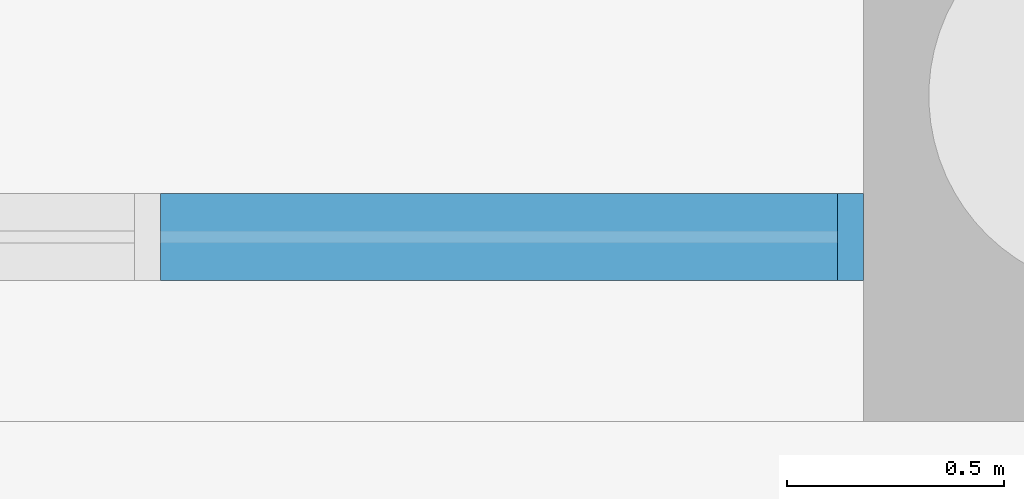
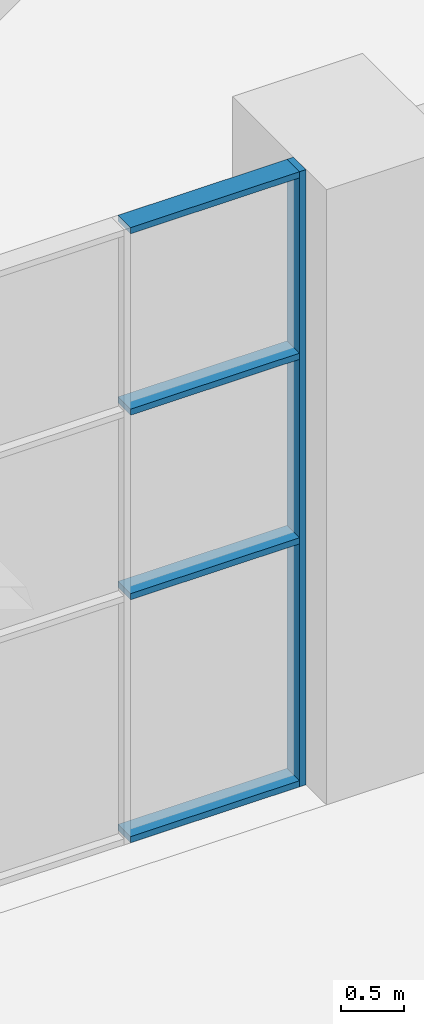
# One storey, part 5 of 44: 5 members, 1 element without a shape of its own.
"""IFC4 building model written with IfcOpenShell, lengths in metres."""

from ifc_helpers import new_model, si_unit, direction, frame, origin, origin_2d, place, context, subcontext, project, spatial, rectangle, extrude, material, layer, layer_set, material_profile, profile_set, type_object, element, aggregate, save


model = new_model("IFC4")

# Units and contexts
model_context = context("Model", 3, precision=1e-05, world=origin(), true_north=direction((0.0, 1.0)))
body_context = subcontext(model_context, "Body", "Model", "MODEL_VIEW")
ifc_project = project(units=[si_unit("LENGTHUNIT", "METRE"), si_unit("AREAUNIT", "SQUARE_METRE"), si_unit("VOLUMEUNIT", "CUBIC_METRE"), si_unit("PLANEANGLEUNIT", "RADIAN"), si_unit("MASSUNIT", "GRAM", prefix="KILO")], contexts=[model_context])

# Site, building, storey
site_placement = place(None, origin())
site = spatial("IfcSite", under=ifc_project, at=site_placement, CompositionType="ELEMENT")
building_placement = place(site_placement, origin())
building = spatial("IfcBuilding", under=site, at=building_placement, Name="Dhurran Vertical Campus", CompositionType="ELEMENT")
storey_placement = place(building_placement, origin())
storey = spatial("IfcBuildingStorey", under=building, at=storey_placement, Name="L00", CompositionType="ELEMENT", Elevation=0.0)

# Curtain wall, members
ifc_material_1 = material(Name="Aluminium frame with solar-control glass", Category="aluminium")
ifc_layer = layer(ifc_material_1, 0.199951171875)
ifc_layer_set = layer_set([ifc_layer], Name="Aluminium frame with solar-control glass")
curtain_wall_type = type_object("IfcCurtainWallType", Name="Entrance glazing system", PredefinedType="NOTDEFINED", material=ifc_layer_set)
curtain_wall_placement = place(storey_placement, origin())
curtain_wall = element("IfcCurtainWall", 1, at=curtain_wall_placement, inside=storey, type_object=curtain_wall_type, Name="CW1 L00.10", PredefinedType="NOTDEFINED")
ifc_material_2 = material(Name="Aluminium mullion", Category="aluminium")
ifc_material_profile_1 = material_profile(ifc_material_2, rectangle(XDim=0.199951171875, YDim=0.06005859375, at=origin_2d()), Name="Entrance glazing system mullion")
ifc_profile_set_1 = profile_set([ifc_material_profile_1], Name="Aluminium mullion")
member_type_1 = type_object("IfcMemberType", Name="Entrance glazing system mullion", PredefinedType="MULLION", material=ifc_profile_set_1)
member_1_placement = place(storey_placement, frame((19.619384765625, -46.943359375, 0.0), z_axis=(0.0, 0.0, 1.0), x_axis=(0.0, 1.0, 0.0)))
member_1 = element("IfcMember", 2, at=member_1_placement, type_object=member_type_1, Name="CW1 mullion 3", PredefinedType="MULLION", context=body_context, shape_type="SweptSolid", body=[
    extrude(rectangle(XDim=0.199951171875, YDim=0.06005859375, at=origin_2d()), origin(), (0.0, 0.0, 1.0), 6.0),
])
ifc_material_3 = material(Name="Aluminium transom", Category="aluminium")
ifc_material_profile_2 = material_profile(ifc_material_3, rectangle(XDim=0.199951171875, YDim=0.06005859375, at=origin_2d()), Name="Entrance glazing system transom")
ifc_profile_set_2 = profile_set([ifc_material_profile_2], Name="Aluminium transom")
member_type_2 = type_object("IfcMemberType", Name="Entrance glazing system transom", PredefinedType="USERDEFINED", material=ifc_profile_set_2)
member_2_placement = place(storey_placement, frame((18.030029296875, -46.943359375, 0.030029296875), z_axis=(1.0, 0.0, 0.0), x_axis=(0.0, 1.0, 0.0)))
member_2 = element("IfcMember", 3, at=member_2_placement, type_object=member_type_2, Name="CW1 transom 2.1", ObjectType="TRANSOM", PredefinedType="USERDEFINED", context=body_context, shape_type="SweptSolid", body=[
    extrude(rectangle(XDim=0.199951171875, YDim=0.06005859375, at=origin_2d()), origin(), (0.0, 0.0, 1.0), 1.5595703125),
])
member_3_placement = place(storey_placement, frame((18.030029296875, -46.943359375, 2.39990234375), z_axis=(1.0, 0.0, 0.0), x_axis=(0.0, 1.0, 0.0)))
member_3 = element("IfcMember", 4, at=member_3_placement, type_object=member_type_2, Name="CW1 transom 2.2", ObjectType="TRANSOM", PredefinedType="USERDEFINED", context=body_context, shape_type="SweptSolid", body=[
    extrude(rectangle(XDim=0.199951171875, YDim=0.06005859375, at=origin_2d()), origin(), (0.0, 0.0, 1.0), 1.5595703125),
])
member_4_placement = place(storey_placement, frame((18.030029296875, -46.943359375, 4.199951171875), z_axis=(1.0, 0.0, 0.0), x_axis=(0.0, 1.0, 0.0)))
member_4 = element("IfcMember", 5, at=member_4_placement, type_object=member_type_2, Name="CW1 transom 2.3", ObjectType="TRANSOM", PredefinedType="USERDEFINED", context=body_context, shape_type="SweptSolid", body=[
    extrude(rectangle(XDim=0.199951171875, YDim=0.06005859375, at=origin_2d()), origin(), (0.0, 0.0, 1.0), 1.5595703125),
])
member_5_placement = place(storey_placement, frame((18.030029296875, -46.943359375, 5.969970703125), z_axis=(1.0, 0.0, 0.0), x_axis=(0.0, 1.0, 0.0)))
member_5 = element("IfcMember", 6, at=member_5_placement, type_object=member_type_2, Name="CW1 transom 2.4", ObjectType="TRANSOM", PredefinedType="USERDEFINED", context=body_context, shape_type="SweptSolid", body=[
    extrude(rectangle(XDim=0.199951171875, YDim=0.06005859375, at=origin_2d()), origin(), (0.0, 0.0, 1.0), 1.5595703125),
])
aggregate(curtain_wall, [member_1, member_2, member_3, member_4, member_5])

save(model, "model.ifc")
